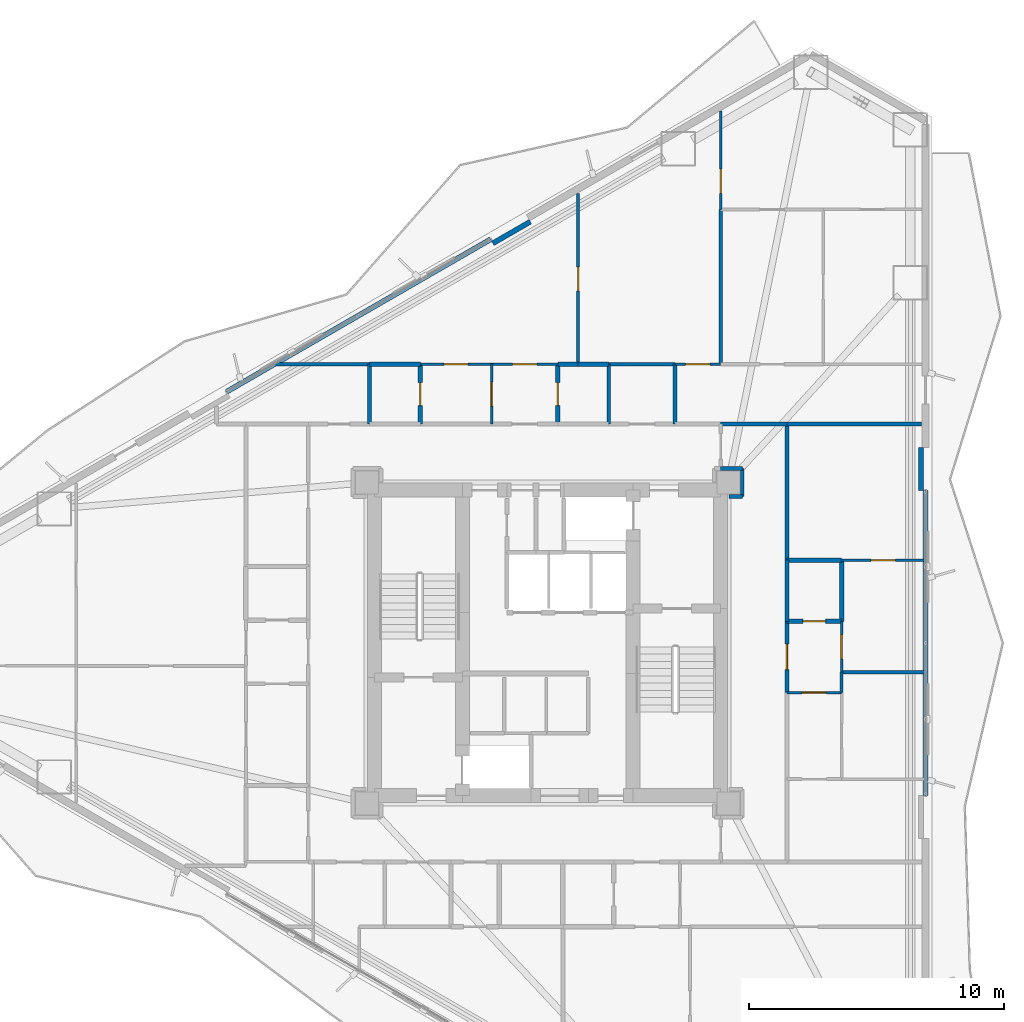
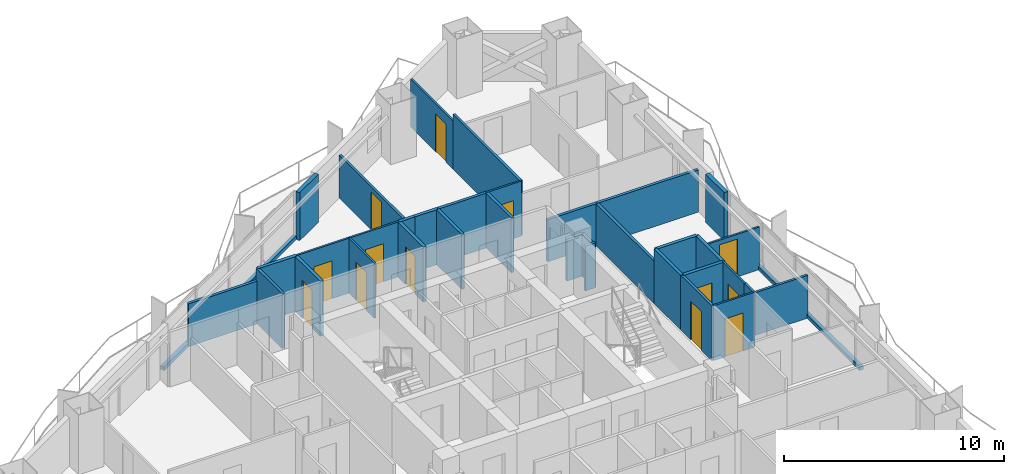
# One storey, part 16 of 19: 37 walls, 13 doors, 13 openings.
"""IFC4 building model written with IfcOpenShell, lengths in metres."""

from ifc_helpers import new_model, si_unit, direction, frame, frame_2d, origin, place, context, subcontext, project, spatial, rectangle, extrude, material, layer, layer_set, type_object, element, fill, save


model = new_model("IFC4")

# Units and contexts
model_context = context("Model", 3, precision=1e-05, world=origin(), true_north=direction((0.0, 1.0)))
body_context = subcontext(model_context, "Body", "Model", "MODEL_VIEW")
ifc_project = project(units=[si_unit("LENGTHUNIT", "METRE"), si_unit("AREAUNIT", "SQUARE_METRE"), si_unit("VOLUMEUNIT", "CUBIC_METRE"), si_unit("PLANEANGLEUNIT", "RADIAN"), si_unit("MASSUNIT", "GRAM", prefix="KILO")], contexts=[model_context])

# Site, building, storey
site_placement = place(None, origin())
site = spatial("IfcSite", under=ifc_project, at=site_placement, CompositionType="ELEMENT")
building_placement = place(site_placement, origin())
building = spatial("IfcBuilding", under=site, at=building_placement, Name="Mersakhor Tower and Convention Hall", CompositionType="ELEMENT")
storey_placement = place(building_placement, frame((0.0, 0.0, 22.5)))
storey = spatial("IfcBuildingStorey", under=building, at=storey_placement, Name="L05", CompositionType="ELEMENT", Elevation=22.5)

# Walls
ifc_material_1 = material(Name="Precast concrete C40/50", Category="concrete")
ifc_layer_1 = layer(ifc_material_1, 0.199951171875)
ifc_layer_set_1 = layer_set([ifc_layer_1], Name="Precast concrete C40/50")
wall_type_1 = type_object("IfcWallType", Name="WL-PAR-200", PredefinedType="PARAPET", material=ifc_layer_set_1)
wall_1_placement = place(storey_placement, frame((16.390380859375, 36.6171875, 0.0), z_axis=(0.0, 0.0, 1.0), x_axis=(0.866027351828, 0.499996625875, 0.0)))
element("IfcWall", 1, at=wall_1_placement, inside=storey, type_object=wall_type_1, Name="L05 Curtain Wall Upstand Sill F1-B2", PredefinedType="PARAPET", context=body_context, shape_type="SweptSolid", body=[
    extrude(rectangle(XDim=11.97314453125, YDim=0.199951171875, at=frame_2d((5.986572265625, 0.0))), origin(), (0.0, 0.0, 1.0), 0.199951171875),
])
wall_2_placement = place(storey_placement, frame((26.849609375, 42.447998046875, 0.0), z_axis=(0.0, 0.0, 1.0), x_axis=(0.86605165483, 0.499954529098, 0.0)))
element("IfcWall", 2, at=wall_2_placement, inside=storey, type_object=wall_type_1, Name="L05 Column Pier Cladding Wall F1-C2", PredefinedType="PARAPET", context=body_context, shape_type="SweptSolid", body=[
    extrude(rectangle(XDim=1.699951171875, YDim=0.199951171875, at=frame_2d((0.85009765625, 0.0))), origin(), (0.0, 0.0, 1.0), 2.659912109375),
])
wall_3_placement = place(storey_placement, frame((43.85009765625, 32.736572265625, 0.0), z_axis=(0.0, 0.0, 1.0), x_axis=(0.0, -1.0, 0.0)))
element("IfcWall", 3, at=wall_3_placement, inside=storey, type_object=wall_type_1, Name="L05 Curtain Wall Upstand Sill F2-B2", PredefinedType="PARAPET", context=body_context, shape_type="SweptSolid", body=[
    extrude(rectangle(XDim=11.97314453125, YDim=0.199951171875, at=frame_2d((5.986572265625, 0.0))), origin(), (0.0, 0.0, 1.0), 0.199951171875),
])
wall_4_placement = place(storey_placement, frame((43.669921875, 34.4365234375, 0.0), z_axis=(0.0, 0.0, 1.0), x_axis=(0.0, -1.0, 0.0)))
element("IfcWall", 4, at=wall_4_placement, inside=storey, type_object=wall_type_1, Name="L05 Column Pier Cladding Wall F2-C1", PredefinedType="PARAPET", context=body_context, shape_type="SweptSolid", body=[
    extrude(rectangle(XDim=1.699951171875, YDim=0.199951171875, at=frame_2d((0.85009765625, 0.0))), origin(), (0.0, 0.0, 1.0), 2.659912109375),
])

# Wall, opening, door
ifc_material_2 = material(Name="Moisture-resistant acoustic drywall studwork", Category="other")
ifc_layer_2 = layer(ifc_material_2, 0.175048828125)
ifc_layer_set_2 = layer_set([ifc_layer_2], Name="Moisture-resistant acoustic drywall studwork")
wall_type_2 = type_object("IfcWallType", Name="WL-PLM-175", PredefinedType="PLUMBINGWALL", material=ifc_layer_set_2)
wall_5_placement = place(storey_placement, frame((29.39990234375, 37.699951171875, 0.0), z_axis=(0.0, 0.0, 1.0), x_axis=(0.0, -1.0, 0.0)))
wall_5 = element("IfcWall", 5, at=wall_5_placement, inside=storey, type_object=wall_type_2, Name="L05 Interior Partition Wall P-067", PredefinedType="PLUMBINGWALL", context=body_context, shape_type="SweptSolid", body=[
    extrude(rectangle(XDim=2.349853515625, YDim=0.175048828125, at=frame_2d((1.1748046875, 0.0))), origin(), (0.0, 0.0, 1.0), 3.0400390625),
])
opening_1_placement = place(wall_5_placement, frame((0.72509765625, 0.0, 0.0)))
opening_1 = element("IfcOpeningElement", 6, at=opening_1_placement, cuts=wall_5, Name="Opening WD-01", PredefinedType="OPENING", context=body_context, shape_type="SweptSolid", body=[
    extrude(rectangle(XDim=0.89990234375, YDim=2.10009765625, at=frame_2d((0.449951171875, 1.050048828125))), frame((0.0, 0.097412109375, 0.0), z_axis=(0.0, -1.0, 0.0), x_axis=(1.0, 0.0, 0.0)), (0.0, 0.0, 1.0), 0.195068359375),
])
ifc_material_3 = material(Name="Solid-core hardwood leaf in painted steel frame", Category="steel")
door_type_1 = type_object("IfcDoorType", Name="DR-INT-WET-090x210", OperationType="NOTDEFINED", PredefinedType="DOOR", material=ifc_material_3)
door_1_placement = place(opening_1_placement, origin())
door_1 = element("IfcDoor", 7, at=door_1_placement, inside=storey, type_object=door_type_1, Name="L05 L05 Flat N1 Apartment Hall to L05 Flat N1 En-Suite Shower Room Door", OperationType="SINGLE_SWING_LEFT", OverallHeight=2.10009765625, OverallWidth=0.89990234375, PredefinedType="DOOR", context=body_context, shape_type="SweptSolid", body=[
    extrude(rectangle(XDim=0.89990234375, YDim=2.10009765625, at=frame_2d((0.449951171875, 1.050048828125))), frame((0.0, 0.02490234375, 0.0), z_axis=(0.0, -1.0, 0.0), x_axis=(1.0, 0.0, 0.0)), (0.0, 0.0, 1.0), 0.050048828125),
])
fill(opening_1, door_1)

wall_6_placement = place(storey_placement, frame((38.39990234375, 27.60009765625, 0.0), z_axis=(0.0, 0.0, 1.0), x_axis=(1.0, 0.0, 0.0)))
wall_6 = element("IfcWall", 8, at=wall_6_placement, inside=storey, type_object=wall_type_2, Name="L05 Interior Partition Wall P-079", PredefinedType="PLUMBINGWALL", context=body_context, shape_type="SweptSolid", body=[
    extrude(rectangle(XDim=2.150146484375, YDim=0.175048828125, at=frame_2d((1.0751953125, 0.0))), origin(), (0.0, 0.0, 1.0), 3.0400390625),
])
opening_2_placement = place(wall_6_placement, frame((0.625, 0.0, 0.0)))
opening_2 = element("IfcOpeningElement", 9, at=opening_2_placement, cuts=wall_6, Name="Opening WD-01", PredefinedType="OPENING", context=body_context, shape_type="SweptSolid", body=[
    extrude(rectangle(XDim=0.89990234375, YDim=2.10009765625, at=frame_2d((0.449951171875, 1.050048828125))), frame((0.0, 0.097412109375, 0.0), z_axis=(0.0, -1.0, 0.0), x_axis=(1.0, 0.0, 0.0)), (0.0, 0.0, 1.0), 0.195068359375),
])
door_2_placement = place(opening_2_placement, origin())
door_2 = element("IfcDoor", 10, at=door_2_placement, inside=storey, type_object=door_type_1, Name="L05 L05 Flat E5 Apartment Hall to L05 Flat E5 Bathroom Door", OperationType="SINGLE_SWING_LEFT", OverallHeight=2.10009765625, OverallWidth=0.89990234375, PredefinedType="DOOR", context=body_context, shape_type="SweptSolid", body=[
    extrude(rectangle(XDim=0.89990234375, YDim=2.10009765625, at=frame_2d((0.449951171875, 1.050048828125))), frame((0.0, 0.02490234375, 0.0), z_axis=(0.0, -1.0, 0.0), x_axis=(1.0, 0.0, 0.0)), (0.0, 0.0, 1.0), 0.050048828125),
])
fill(opening_2, door_2)

wall_7_placement = place(storey_placement, frame((24.0, 35.35009765625, 0.0), z_axis=(0.0, 0.0, 1.0), x_axis=(0.0, 1.0, 0.0)))
wall_7 = element("IfcWall", 11, at=wall_7_placement, inside=storey, type_object=wall_type_2, Name="L05 Interior Partition Wall P-081", PredefinedType="PLUMBINGWALL", context=body_context, shape_type="SweptSolid", body=[
    extrude(rectangle(XDim=2.349853515625, YDim=0.175048828125, at=frame_2d((1.1748046875, 0.0))), origin(), (0.0, 0.0, 1.0), 3.0400390625),
])
opening_3_placement = place(wall_7_placement, frame((0.72509765625, 0.0, 0.0)))
opening_3 = element("IfcOpeningElement", 12, at=opening_3_placement, cuts=wall_7, Name="Opening WD-01", PredefinedType="OPENING", context=body_context, shape_type="SweptSolid", body=[
    extrude(rectangle(XDim=0.89990234375, YDim=2.10009765625, at=frame_2d((0.449951171875, 1.050048828125))), frame((0.0, 0.097412109375, 0.0), z_axis=(0.0, -1.0, 0.0), x_axis=(1.0, 0.0, 0.0)), (0.0, 0.0, 1.0), 0.195068359375),
])
door_3_placement = place(opening_3_placement, origin())
door_3 = element("IfcDoor", 13, at=door_3_placement, inside=storey, type_object=door_type_1, Name="L05 L05 Flat N1 Kitchen to L05 Flat N1 Bathroom Door", OperationType="SINGLE_SWING_LEFT", OverallHeight=2.10009765625, OverallWidth=0.89990234375, PredefinedType="DOOR", context=body_context, shape_type="SweptSolid", body=[
    extrude(rectangle(XDim=0.89990234375, YDim=2.10009765625, at=frame_2d((0.449951171875, 1.050048828125))), frame((0.0, 0.02490234375, 0.0), z_axis=(0.0, -1.0, 0.0), x_axis=(1.0, 0.0, 0.0)), (0.0, 0.0, 1.0), 0.050048828125),
])
fill(opening_3, door_3)

# Walls
wall_8_placement = place(storey_placement, frame((22.0, 37.699951171875, 0.0), z_axis=(0.0, 0.0, 1.0), x_axis=(1.0, 0.0, 0.0)))
element("IfcWall", 14, at=wall_8_placement, inside=storey, type_object=wall_type_2, Name="L05 Interior Partition Wall P-082", PredefinedType="PLUMBINGWALL", context=body_context, shape_type="SweptSolid", body=[
    extrude(rectangle(XDim=2.0, YDim=0.175048828125, at=frame_2d((1.0, 0.0))), origin(), (0.0, 0.0, 1.0), 3.0400390625),
])
wall_9_placement = place(storey_placement, frame((29.39990234375, 37.699951171875, 0.0), z_axis=(0.0, 0.0, 1.0), x_axis=(1.0, 0.0, 0.0)))
element("IfcWall", 15, at=wall_9_placement, inside=storey, type_object=wall_type_2, Name="L05 Interior Partition Wall P-084", PredefinedType="PLUMBINGWALL", context=body_context, shape_type="SweptSolid", body=[
    extrude(rectangle(XDim=0.800048828125, YDim=0.175048828125, at=frame_2d((0.39990234375, 0.0))), origin(), (0.0, 0.0, 1.0), 3.0400390625),
])
wall_10_placement = place(storey_placement, frame((30.199951171875, 37.699951171875, 0.0), z_axis=(0.0, 0.0, 1.0), x_axis=(1.0, 0.0, 0.0)))
element("IfcWall", 16, at=wall_10_placement, inside=storey, type_object=wall_type_2, Name="L05 Interior Partition Wall P-085", PredefinedType="PLUMBINGWALL", context=body_context, shape_type="SweptSolid", body=[
    extrude(rectangle(XDim=1.199951171875, YDim=0.175048828125, at=frame_2d((0.60009765625, 0.0))), origin(), (0.0, 0.0, 1.0), 3.0400390625),
])
wall_11_placement = place(storey_placement, frame((40.550048828125, 30.0, 0.0), z_axis=(0.0, 0.0, 1.0), x_axis=(0.0, -1.0, 0.0)))
element("IfcWall", 17, at=wall_11_placement, inside=storey, type_object=wall_type_2, Name="L05 Interior Partition Wall P-099", PredefinedType="PLUMBINGWALL", context=body_context, shape_type="SweptSolid", body=[
    extrude(rectangle(XDim=2.39990234375, YDim=0.175048828125, at=frame_2d((1.199951171875, 0.0))), origin(), (0.0, 0.0, 1.0), 3.0400390625),
])
wall_12_placement = place(storey_placement, frame((38.39990234375, 30.0, 0.0), z_axis=(0.0, 0.0, 1.0), x_axis=(1.0, 0.0, 0.0)))
element("IfcWall", 18, at=wall_12_placement, inside=storey, type_object=wall_type_2, Name="L05 Interior Partition Wall P-100", PredefinedType="PLUMBINGWALL", context=body_context, shape_type="SweptSolid", body=[
    extrude(rectangle(XDim=2.150146484375, YDim=0.175048828125, at=frame_2d((1.0751953125, 0.0))), origin(), (0.0, 0.0, 1.0), 3.0400390625),
])

# Wall, opening, door
ifc_material_4 = material(Name="Lightweight gypsum partition", Category="other")
ifc_layer_3 = layer(ifc_material_4, 0.10009765625)
ifc_layer_set_3 = layer_set([ifc_layer_3], Name="Lightweight gypsum partition")
wall_type_3 = type_object("IfcWallType", Name="WL-PRT-100", PredefinedType="PARTITIONING", material=ifc_layer_set_3)
wall_13_placement = place(storey_placement, frame((26.800048828125, 37.699951171875, 0.0), z_axis=(0.0, 0.0, 1.0), x_axis=(1.0, 0.0, 0.0)))
wall_13 = element("IfcWall", 19, at=wall_13_placement, inside=storey, type_object=wall_type_3, Name="L05 Interior Partition Wall P-066", PredefinedType="PARTITIONING", context=body_context, shape_type="SweptSolid", body=[
    extrude(rectangle(XDim=2.599853515625, YDim=0.10009765625, at=frame_2d((1.2998046875, 0.0))), origin(), (0.0, 0.0, 1.0), 3.0400390625),
])
opening_4_placement = place(wall_13_placement, frame((0.824951171875, 0.0, 0.0)))
opening_4 = element("IfcOpeningElement", 20, at=opening_4_placement, cuts=wall_13, Name="Opening RD-01", PredefinedType="OPENING", context=body_context, shape_type="SweptSolid", body=[
    extrude(rectangle(XDim=0.949951171875, YDim=2.10009765625, at=frame_2d((0.47509765625, 1.050048828125))), frame((0.0, 0.06005859375, 0.0), z_axis=(0.0, -1.0, 0.0), x_axis=(1.0, 0.0, 0.0)), (0.0, 0.0, 1.0), 0.1201171875),
])
ifc_material_5 = material(Name="Solid-core hardwood leaf in painted steel frame", Category="steel")
door_type_2 = type_object("IfcDoorType", Name="DR-INT-RM-095x210", OperationType="NOTDEFINED", PredefinedType="DOOR", material=ifc_material_5)
door_4_placement = place(opening_4_placement, origin())
door_4 = element("IfcDoor", 21, at=door_4_placement, inside=storey, type_object=door_type_2, Name="L05 L05 Flat N1 Apartment Hall to L05 Flat N1 Living and Dining Room Door", OperationType="SINGLE_SWING_RIGHT", OverallHeight=2.10009765625, OverallWidth=0.949951171875, PredefinedType="DOOR", context=body_context, shape_type="SweptSolid", body=[
    extrude(rectangle(XDim=0.949951171875, YDim=2.10009765625, at=frame_2d((0.47509765625, 1.050048828125))), frame((0.0, 0.02490234375, 0.0), z_axis=(0.0, -1.0, 0.0), x_axis=(1.0, 0.0, 0.0)), (0.0, 0.0, 1.0), 0.050048828125),
])
fill(opening_4, door_4)

wall_14_placement = place(storey_placement, frame((26.800048828125, 35.35009765625, 0.0), z_axis=(0.0, 0.0, 1.0), x_axis=(0.0, 1.0, 0.0)))
wall_14 = element("IfcWall", 22, at=wall_14_placement, inside=storey, type_object=wall_type_3, Name="L05 Interior Partition Wall P-068", PredefinedType="PARTITIONING", context=body_context, shape_type="SweptSolid", body=[
    extrude(rectangle(XDim=2.349853515625, YDim=0.10009765625, at=frame_2d((1.1748046875, 0.0))), origin(), (0.0, 0.0, 1.0), 3.0400390625),
])
opening_5_placement = place(wall_14_placement, frame((0.699951171875, 0.0, 0.0)))
opening_5 = element("IfcOpeningElement", 23, at=opening_5_placement, cuts=wall_14, Name="Opening RD-01", PredefinedType="OPENING", context=body_context, shape_type="SweptSolid", body=[
    extrude(rectangle(XDim=0.949951171875, YDim=2.10009765625, at=frame_2d((0.47509765625, 1.050048828125))), frame((0.0, 0.06005859375, 0.0), z_axis=(0.0, -1.0, 0.0), x_axis=(1.0, 0.0, 0.0)), (0.0, 0.0, 1.0), 0.1201171875),
])
door_5_placement = place(opening_5_placement, origin())
door_5 = element("IfcDoor", 24, at=door_5_placement, inside=storey, type_object=door_type_2, Name="L05 L05 Flat N1 Apartment Hall to L05 Flat N1 Kitchen Door", OperationType="SINGLE_SWING_RIGHT", OverallHeight=2.10009765625, OverallWidth=0.949951171875, PredefinedType="DOOR", context=body_context, shape_type="SweptSolid", body=[
    extrude(rectangle(XDim=0.949951171875, YDim=2.10009765625, at=frame_2d((0.47509765625, 1.050048828125))), frame((0.0, 0.02490234375, 0.0), z_axis=(0.0, -1.0, 0.0), x_axis=(1.0, 0.0, 0.0)), (0.0, 0.0, 1.0), 0.050048828125),
])
fill(opening_5, door_5)

wall_15_placement = place(storey_placement, frame((40.550048828125, 27.60009765625, 0.0), z_axis=(0.0, 0.0, 1.0), x_axis=(0.0, -1.0, 0.0)))
wall_15 = element("IfcWall", 25, at=wall_15_placement, inside=storey, type_object=wall_type_3, Name="L05 Interior Partition Wall P-076", PredefinedType="PARTITIONING", context=body_context, shape_type="SweptSolid", body=[
    extrude(rectangle(XDim=2.0, YDim=0.10009765625, at=frame_2d((1.0, 0.0))), origin(), (0.0, 0.0, 1.0), 3.0400390625),
])
opening_6_placement = place(wall_15_placement, frame((0.52490234375, 0.0, 0.0)))
opening_6 = element("IfcOpeningElement", 26, at=opening_6_placement, cuts=wall_15, Name="Opening RD-01", PredefinedType="OPENING", context=body_context, shape_type="SweptSolid", body=[
    extrude(rectangle(XDim=0.949951171875, YDim=2.10009765625, at=frame_2d((0.47509765625, 1.050048828125))), frame((0.0, 0.06005859375, 0.0), z_axis=(0.0, -1.0, 0.0), x_axis=(1.0, 0.0, 0.0)), (0.0, 0.0, 1.0), 0.1201171875),
])
door_6_placement = place(opening_6_placement, origin())
door_6 = element("IfcDoor", 27, at=door_6_placement, inside=storey, type_object=door_type_2, Name="L05 L05 Flat E5 Apartment Hall to L05 Flat E5 Master Bedroom Door", OperationType="SINGLE_SWING_RIGHT", OverallHeight=2.10009765625, OverallWidth=0.949951171875, PredefinedType="DOOR", context=body_context, shape_type="SweptSolid", body=[
    extrude(rectangle(XDim=0.949951171875, YDim=2.10009765625, at=frame_2d((0.47509765625, 1.050048828125))), frame((0.0, 0.02490234375, 0.0), z_axis=(0.0, -1.0, 0.0), x_axis=(1.0, 0.0, 0.0)), (0.0, 0.0, 1.0), 0.050048828125),
])
fill(opening_6, door_6)

wall_16_placement = place(storey_placement, frame((40.550048828125, 24.800048828125, 0.0), z_axis=(0.0, 0.0, 1.0), x_axis=(-1.0, 0.0, 0.0)))
wall_16 = element("IfcWall", 28, at=wall_16_placement, inside=storey, type_object=wall_type_3, Name="L05 Interior Partition Wall P-078", PredefinedType="PARTITIONING", context=body_context, shape_type="SweptSolid", body=[
    extrude(rectangle(XDim=2.150146484375, YDim=0.10009765625, at=frame_2d((1.0751953125, 0.0))), origin(), (0.0, 0.0, 1.0), 3.0400390625),
])
opening_7_placement = place(wall_16_placement, frame((0.60009765625, 0.0, 0.0)))
opening_7 = element("IfcOpeningElement", 29, at=opening_7_placement, cuts=wall_16, Name="Opening RD-01", PredefinedType="OPENING", context=body_context, shape_type="SweptSolid", body=[
    extrude(rectangle(XDim=0.949951171875, YDim=2.10009765625, at=frame_2d((0.47509765625, 1.050048828125))), frame((0.0, 0.06005859375, 0.0), z_axis=(0.0, -1.0, 0.0), x_axis=(1.0, 0.0, 0.0)), (0.0, 0.0, 1.0), 0.1201171875),
])
door_7_placement = place(opening_7_placement, origin())
door_7 = element("IfcDoor", 30, at=door_7_placement, inside=storey, type_object=door_type_2, Name="L05 L05 Flat E5 Apartment Hall to L05 Flat E5 Dining Alcove Door", OperationType="SINGLE_SWING_LEFT", OverallHeight=2.10009765625, OverallWidth=0.949951171875, PredefinedType="DOOR", context=body_context, shape_type="SweptSolid", body=[
    extrude(rectangle(XDim=0.949951171875, YDim=2.10009765625, at=frame_2d((0.47509765625, 1.050048828125))), frame((0.0, 0.02490234375, 0.0), z_axis=(0.0, -1.0, 0.0), x_axis=(1.0, 0.0, 0.0)), (0.0, 0.0, 1.0), 0.050048828125),
])
fill(opening_7, door_7)

wall_17_placement = place(storey_placement, frame((24.0, 37.699951171875, 0.0), z_axis=(0.0, 0.0, 1.0), x_axis=(1.0, 0.0, 0.0)))
wall_17 = element("IfcWall", 31, at=wall_17_placement, inside=storey, type_object=wall_type_3, Name="L05 Interior Partition Wall P-080", PredefinedType="PARTITIONING", context=body_context, shape_type="SweptSolid", body=[
    extrude(rectangle(XDim=2.800048828125, YDim=0.10009765625, at=frame_2d((1.39990234375, 0.0))), origin(), (0.0, 0.0, 1.0), 3.0400390625),
])
opening_8_placement = place(wall_17_placement, frame((0.925048828125, 0.0, 0.0)))
opening_8 = element("IfcOpeningElement", 32, at=opening_8_placement, cuts=wall_17, Name="Opening RD-01", PredefinedType="OPENING", context=body_context, shape_type="SweptSolid", body=[
    extrude(rectangle(XDim=0.949951171875, YDim=2.10009765625, at=frame_2d((0.47509765625, 1.050048828125))), frame((0.0, 0.06005859375, 0.0), z_axis=(0.0, -1.0, 0.0), x_axis=(1.0, 0.0, 0.0)), (0.0, 0.0, 1.0), 0.1201171875),
])
door_8_placement = place(opening_8_placement, origin())
door_8 = element("IfcDoor", 33, at=door_8_placement, inside=storey, type_object=door_type_2, Name="L05 L05 Flat N1 Kitchen to L05 Flat N1 Living and Dining Room Door", OperationType="SINGLE_SWING_RIGHT", OverallHeight=2.10009765625, OverallWidth=0.949951171875, PredefinedType="DOOR", context=body_context, shape_type="SweptSolid", body=[
    extrude(rectangle(XDim=0.949951171875, YDim=2.10009765625, at=frame_2d((0.47509765625, 1.050048828125))), frame((0.0, 0.02490234375, 0.0), z_axis=(0.0, -1.0, 0.0), x_axis=(1.0, 0.0, 0.0)), (0.0, 0.0, 1.0), 0.050048828125),
])
fill(opening_8, door_8)

wall_18_placement = place(storey_placement, frame((34.0, 37.699951171875, 0.0), z_axis=(0.0, 0.0, 1.0), x_axis=(1.0, 0.0, 0.0)))
wall_18 = element("IfcWall", 34, at=wall_18_placement, inside=storey, type_object=wall_type_3, Name="L05 Interior Partition Wall P-114", PredefinedType="PARTITIONING", context=body_context, shape_type="SweptSolid", body=[
    extrude(rectangle(XDim=1.800048828125, YDim=0.10009765625, at=frame_2d((0.89990234375, 0.0))), origin(), (0.0, 0.0, 1.0), 3.0400390625),
])
opening_9_placement = place(wall_18_placement, frame((0.425048828125, 0.0, 0.0)))
opening_9 = element("IfcOpeningElement", 35, at=opening_9_placement, cuts=wall_18, Name="Opening RD-01", PredefinedType="OPENING", context=body_context, shape_type="SweptSolid", body=[
    extrude(rectangle(XDim=0.949951171875, YDim=2.10009765625, at=frame_2d((0.47509765625, 1.050048828125))), frame((0.0, 0.06005859375, 0.0), z_axis=(0.0, -1.0, 0.0), x_axis=(1.0, 0.0, 0.0)), (0.0, 0.0, 1.0), 0.1201171875),
])
door_9_placement = place(opening_9_placement, origin())
door_9 = element("IfcDoor", 36, at=door_9_placement, inside=storey, type_object=door_type_2, Name="L05 L05 Flat N1 Study Room to L05 Flat N1 Master Bedroom Door", OperationType="SINGLE_SWING_RIGHT", OverallHeight=2.10009765625, OverallWidth=0.949951171875, PredefinedType="DOOR", context=body_context, shape_type="SweptSolid", body=[
    extrude(rectangle(XDim=0.949951171875, YDim=2.10009765625, at=frame_2d((0.47509765625, 1.050048828125))), frame((0.0, 0.02490234375, 0.0), z_axis=(0.0, -1.0, 0.0), x_axis=(1.0, 0.0, 0.0)), (0.0, 0.0, 1.0), 0.050048828125),
])
fill(opening_9, door_9)

wall_19_placement = place(storey_placement, frame((35.800048828125, 47.63671875, 0.0), z_axis=(0.0, 0.0, 1.0), x_axis=(0.0, -1.0, 0.0)))
wall_19 = element("IfcWall", 37, at=wall_19_placement, inside=storey, type_object=wall_type_3, Name="L05 Interior Partition Wall P-118", PredefinedType="PARTITIONING", context=body_context, shape_type="SweptSolid", body=[
    extrude(rectangle(XDim=3.856689453125, YDim=0.10009765625, at=frame_2d((1.92822265625, 0.0))), origin(), (0.0, 0.0, 1.0), 2.650390625),
])
opening_10_placement = place(wall_19_placement, frame((2.27734375, 0.0, 0.0)))
opening_10 = element("IfcOpeningElement", 38, at=opening_10_placement, cuts=wall_19, Name="Opening RD-01", PredefinedType="OPENING", context=body_context, shape_type="SweptSolid", body=[
    extrude(rectangle(XDim=0.949951171875, YDim=2.10009765625, at=frame_2d((0.47509765625, 1.050048828125))), frame((0.0, 0.06005859375, 0.0), z_axis=(0.0, -1.0, 0.0), x_axis=(1.0, 0.0, 0.0)), (0.0, 0.0, 1.0), 0.1201171875),
])
door_10_placement = place(opening_10_placement, origin())
door_10 = element("IfcDoor", 39, at=door_10_placement, inside=storey, type_object=door_type_2, Name="L05 L05 Flat N1 Master Bedroom to L05 Flat N1 Dining Room Door", OperationType="SINGLE_SWING_LEFT", OverallHeight=2.10009765625, OverallWidth=0.949951171875, PredefinedType="DOOR", context=body_context, shape_type="SweptSolid", body=[
    extrude(rectangle(XDim=0.949951171875, YDim=2.10009765625, at=frame_2d((0.47509765625, 1.050048828125))), frame((0.0, 0.02490234375, 0.0), z_axis=(0.0, -1.0, 0.0), x_axis=(1.0, 0.0, 0.0)), (0.0, 0.0, 1.0), 0.050048828125),
])
fill(opening_10, door_10)

wall_20_placement = place(storey_placement, frame((43.81396484375, 30.0, 0.0), z_axis=(0.0, 0.0, 1.0), x_axis=(-1.0, 0.0, 0.0)))
wall_20 = element("IfcWall", 40, at=wall_20_placement, inside=storey, type_object=wall_type_3, Name="L05 Interior Partition Wall P-144", PredefinedType="PARTITIONING", context=body_context, shape_type="SweptSolid", body=[
    extrude(rectangle(XDim=3.263916015625, YDim=0.10009765625, at=frame_2d((1.6318359375, 0.0))), origin(), (0.0, 0.0, 1.0), 2.364990234375),
])
opening_11_placement = place(wall_20_placement, frame((1.156982421875, 0.0, 0.0)))
opening_11 = element("IfcOpeningElement", 41, at=opening_11_placement, cuts=wall_20, Name="Opening RD-01", PredefinedType="OPENING", context=body_context, shape_type="SweptSolid", body=[
    extrude(rectangle(XDim=0.949951171875, YDim=2.10009765625, at=frame_2d((0.47509765625, 1.050048828125))), frame((0.0, 0.06005859375, 0.0), z_axis=(0.0, -1.0, 0.0), x_axis=(1.0, 0.0, 0.0)), (0.0, 0.0, 1.0), 0.1201171875),
])
door_11_placement = place(opening_11_placement, origin())
door_11 = element("IfcDoor", 42, at=door_11_placement, inside=storey, type_object=door_type_2, Name="L05 L05 Flat E5 Living and Dining Room to L05 Flat E5 Master Bedroom Door", OperationType="SINGLE_SWING_RIGHT", OverallHeight=2.10009765625, OverallWidth=0.949951171875, PredefinedType="DOOR", context=body_context, shape_type="SweptSolid", body=[
    extrude(rectangle(XDim=0.949951171875, YDim=2.10009765625, at=frame_2d((0.47509765625, 1.050048828125))), frame((0.0, 0.02490234375, 0.0), z_axis=(0.0, -1.0, 0.0), x_axis=(1.0, 0.0, 0.0)), (0.0, 0.0, 1.0), 0.050048828125),
])
fill(opening_11, door_11)

# Wall
ifc_material_6 = material(Name="Gypsum board acoustic partition", Category="other")
ifc_layer_4 = layer(ifc_material_6, 0.125)
ifc_layer_set_4 = layer_set([ifc_layer_4], Name="Gypsum board acoustic partition")
wall_type_4 = type_object("IfcWallType", Name="WL-PRT-125", PredefinedType="PARTITIONING", material=ifc_layer_set_4)
wall_21_placement = place(storey_placement, frame((40.550048828125, 25.60009765625, 0.0), z_axis=(0.0, 0.0, 1.0), x_axis=(0.0, -1.0, 0.0)))
element("IfcWall", 43, at=wall_21_placement, inside=storey, type_object=wall_type_4, Name="L05 Interior Partition Wall P-077", PredefinedType="PARTITIONING", context=body_context, shape_type="SweptSolid", body=[
    extrude(rectangle(XDim=0.800048828125, YDim=0.125, at=frame_2d((0.39990234375, 0.0))), origin(), (0.0, 0.0, 1.0), 3.0400390625),
])

# Wall, opening, door
wall_22_placement = place(storey_placement, frame((30.199951171875, 44.40380859375, 0.0), z_axis=(0.0, 0.0, 1.0), x_axis=(0.0, -1.0, 0.0)))
wall_22 = element("IfcWall", 44, at=wall_22_placement, inside=storey, type_object=wall_type_4, Name="L05 Interior Partition Wall P-117", PredefinedType="PARTITIONING", context=body_context, shape_type="SweptSolid", body=[
    extrude(rectangle(XDim=6.703857421875, YDim=0.125, at=frame_2d((3.35205078125, 0.0))), origin(), (0.0, 0.0, 1.0), 2.364990234375),
])
opening_12_placement = place(wall_22_placement, frame((2.876708984375, 0.0, 0.0)))
opening_12 = element("IfcOpeningElement", 45, at=opening_12_placement, cuts=wall_22, Name="Opening RD-01", PredefinedType="OPENING", context=body_context, shape_type="SweptSolid", body=[
    extrude(rectangle(XDim=0.949951171875, YDim=2.10009765625, at=frame_2d((0.47509765625, 1.050048828125))), frame((0.0, 0.072509765625, 0.0), z_axis=(0.0, -1.0, 0.0), x_axis=(1.0, 0.0, 0.0)), (0.0, 0.0, 1.0), 0.14501953125),
])
door_12_placement = place(opening_12_placement, origin())
door_12 = element("IfcDoor", 46, at=door_12_placement, inside=storey, type_object=door_type_2, Name="L05 L05 Flat N1 Living and Dining Room to L05 Flat N1 Master Bedroom Door", OperationType="SINGLE_SWING_RIGHT", OverallHeight=2.10009765625, OverallWidth=0.949951171875, PredefinedType="DOOR", context=body_context, shape_type="SweptSolid", body=[
    extrude(rectangle(XDim=0.949951171875, YDim=2.10009765625, at=frame_2d((0.47509765625, 1.050048828125))), frame((0.0, 0.02490234375, 0.0), z_axis=(0.0, -1.0, 0.0), x_axis=(1.0, 0.0, 0.0)), (0.0, 0.0, 1.0), 0.050048828125),
])
fill(opening_12, door_12)

# Walls
wall_23_placement = place(storey_placement, frame((35.800048828125, 43.780029296875, 0.0), z_axis=(0.0, 0.0, 1.0), x_axis=(0.0, -1.0, 0.0)))
element("IfcWall", 47, at=wall_23_placement, inside=storey, type_object=wall_type_4, Name="L05 Interior Partition Wall P-119", PredefinedType="PARTITIONING", context=body_context, shape_type="SweptSolid", body=[
    extrude(rectangle(XDim=6.080078125, YDim=0.125, at=frame_2d((3.0400390625, 0.0))), origin(), (0.0, 0.0, 1.0), 3.0400390625),
])
wall_24_placement = place(storey_placement, frame((43.81396484375, 25.60009765625, 0.0), z_axis=(0.0, 0.0, 1.0), x_axis=(-1.0, 0.0, 0.0)))
element("IfcWall", 48, at=wall_24_placement, inside=storey, type_object=wall_type_4, Name="L05 Interior Partition Wall P-145", PredefinedType="PARTITIONING", context=body_context, shape_type="SweptSolid", body=[
    extrude(rectangle(XDim=3.263916015625, YDim=0.125, at=frame_2d((1.6318359375, 0.0))), origin(), (0.0, 0.0, 1.0), 2.364990234375),
])
ifc_material_7 = material(Name="Fire-rated gypsum board stud partition", Category="other")
ifc_layer_5 = layer(ifc_material_7, 0.14990234375)
ifc_layer_set_5 = layer_set([ifc_layer_5], Name="Fire-rated gypsum board stud partition")
wall_type_5 = type_object("IfcWallType", Name="WL-PRT-150", PredefinedType="PARTITIONING", material=ifc_layer_set_5)
wall_25_placement = place(storey_placement, frame((36.125, 32.5, 0.0), z_axis=(0.0, 0.0, 1.0), x_axis=(1.0, 0.0, 0.0)))
element("IfcWall", 49, at=wall_25_placement, inside=storey, type_object=wall_type_5, Name="L05 Interior Partition Wall P-054", PredefinedType="PARTITIONING", context=body_context, shape_type="SweptSolid", body=[
    extrude(rectangle(XDim=0.52490234375, YDim=0.14990234375, at=frame_2d((0.262451171875, 0.0))), origin(), (0.0, 0.0, 1.0), 2.48828125),
])
wall_26_placement = place(storey_placement, frame((36.64990234375, 32.5, 0.0), z_axis=(0.0, 0.0, 1.0), x_axis=(0.0, 1.0, 0.0)))
element("IfcWall", 50, at=wall_26_placement, inside=storey, type_object=wall_type_5, Name="L05 Interior Partition Wall P-055", PredefinedType="PARTITIONING", context=body_context, shape_type="SweptSolid", body=[
    extrude(rectangle(XDim=1.10009765625, YDim=0.14990234375, at=frame_2d((0.550048828125, 0.0))), origin(), (0.0, 0.0, 1.0), 2.33740234375),
])
wall_27_placement = place(storey_placement, frame((36.64990234375, 33.60009765625, 0.0), z_axis=(0.0, 0.0, 1.0), x_axis=(-1.0, 0.0, 0.0)))
element("IfcWall", 51, at=wall_27_placement, inside=storey, type_object=wall_type_5, Name="L05 Interior Partition Wall P-056", PredefinedType="PARTITIONING", context=body_context, shape_type="SweptSolid", body=[
    extrude(rectangle(XDim=0.849853515625, YDim=0.14990234375, at=frame_2d((0.4248046875, 0.0))), origin(), (0.0, 0.0, 1.0), 2.33740234375),
])
wall_28_placement = place(storey_placement, frame((35.800048828125, 35.35009765625, 0.0), z_axis=(0.0, 0.0, 1.0), x_axis=(1.0, 0.0, 0.0)))
element("IfcWall", 52, at=wall_28_placement, inside=storey, type_object=wall_type_5, Name="L05 Interior Partition Wall P-057", PredefinedType="PARTITIONING", context=body_context, shape_type="SweptSolid", body=[
    extrude(rectangle(XDim=2.599853515625, YDim=0.14990234375, at=frame_2d((1.2998046875, 0.0))), origin(), (0.0, 0.0, 1.0), 2.33740234375),
])
wall_29_placement = place(storey_placement, frame((38.39990234375, 35.35009765625, 0.0), z_axis=(0.0, 0.0, 1.0), x_axis=(0.0, -1.0, 0.0)))
element("IfcWall", 53, at=wall_29_placement, inside=storey, type_object=wall_type_5, Name="L05 Interior Partition Wall P-058", PredefinedType="PARTITIONING", context=body_context, shape_type="SweptSolid", body=[
    extrude(rectangle(XDim=5.35009765625, YDim=0.14990234375, at=frame_2d((2.675048828125, 0.0))), origin(), (0.0, 0.0, 1.0), 2.33740234375),
])
wall_30_placement = place(storey_placement, frame((38.39990234375, 30.0, 0.0), z_axis=(0.0, 0.0, 1.0), x_axis=(0.0, -1.0, 0.0)))
element("IfcWall", 54, at=wall_30_placement, inside=storey, type_object=wall_type_5, Name="L05 Interior Partition Wall P-059", PredefinedType="PARTITIONING", context=body_context, shape_type="SweptSolid", body=[
    extrude(rectangle(XDim=2.39990234375, YDim=0.14990234375, at=frame_2d((1.199951171875, 0.0))), origin(), (0.0, 0.0, 1.0), 3.0400390625),
])

# Wall, opening, door
wall_31_placement = place(storey_placement, frame((38.39990234375, 27.60009765625, 0.0), z_axis=(0.0, 0.0, 1.0), x_axis=(0.0, -1.0, 0.0)))
wall_31 = element("IfcWall", 55, at=wall_31_placement, inside=storey, type_object=wall_type_5, Name="L05 Interior Partition Wall P-060", PredefinedType="PARTITIONING", context=body_context, shape_type="SweptSolid", body=[
    extrude(rectangle(XDim=2.800048828125, YDim=0.14990234375, at=frame_2d((1.39990234375, 0.0))), origin(), (0.0, 0.0, 1.0), 3.0400390625),
])
opening_13_placement = place(wall_31_placement, frame((0.89990234375, 0.0, 0.0)))
opening_13 = element("IfcOpeningElement", 56, at=opening_13_placement, cuts=wall_31, Name="Opening FD-01", PredefinedType="OPENING", context=body_context, shape_type="SweptSolid", body=[
    extrude(rectangle(XDim=1.0, YDim=2.14990234375, at=frame_2d((0.5, 1.074951171875))), frame((0.0, 0.0849609375, 0.0), z_axis=(0.0, -1.0, 0.0), x_axis=(1.0, 0.0, 0.0)), (0.0, 0.0, 1.0), 0.169921875),
])
ifc_material_8 = material(Name="Fire-rated hardwood leaf and painted steel frame", Category="steel")
door_type_3 = type_object("IfcDoorType", Name="DR-INT-FLT-100x215", OperationType="NOTDEFINED", PredefinedType="DOOR", material=ifc_material_8)
door_13_placement = place(opening_13_placement, origin())
door_13 = element("IfcDoor", 57, at=door_13_placement, inside=storey, type_object=door_type_3, Name="L05 Apartment Entrance Door (Residential Ring East Corridor to L05 Flat E5 Apartment Hall)", OperationType="SINGLE_SWING_LEFT", OverallHeight=2.14990234375, OverallWidth=1.0, PredefinedType="DOOR", context=body_context, shape_type="SweptSolid", body=[
    extrude(rectangle(XDim=1.0, YDim=2.14990234375, at=frame_2d((0.5, 1.074951171875))), frame((0.0, 0.02490234375, 0.0), z_axis=(0.0, -1.0, 0.0), x_axis=(1.0, 0.0, 0.0)), (0.0, 0.0, 1.0), 0.050048828125),
])
fill(opening_13, door_13)

# Walls
for number, where, z_axis, x_axis, name in (
    (58, (22.0, 35.35009765625, 0.0), (0.0, 0.0, 1.0), (0.0, 1.0, 0.0), "L05 Interior Partition Wall P-083"),
    (59, (31.39990234375, 37.699951171875, 0.0), (0.0, 0.0, 1.0), (0.0, -1.0, 0.0), "L05 Interior Partition Wall P-086"),
):
    element("IfcWall", number, at=place(storey_placement, frame(where, z_axis=z_axis, x_axis=x_axis)), inside=storey, type_object=wall_type_5, Name=name, PredefinedType="PARTITIONING", context=body_context, shape_type="SweptSolid", body=[
        extrude(rectangle(XDim=2.349853515625, YDim=0.14990234375, at=frame_2d((1.1748046875, 0.0))), origin(), (0.0, 0.0, 1.0), 3.0400390625),
    ])
wall_32_placement = place(storey_placement, frame((31.39990234375, 37.699951171875, 0.0), z_axis=(0.0, 0.0, 1.0), x_axis=(1.0, 0.0, 0.0)))
element("IfcWall", 60, at=wall_32_placement, inside=storey, type_object=wall_type_5, Name="L05 Interior Partition Wall P-104", PredefinedType="PARTITIONING", context=body_context, shape_type="SweptSolid", body=[
    extrude(rectangle(XDim=2.60009765625, YDim=0.14990234375, at=frame_2d((1.300048828125, 0.0))), origin(), (0.0, 0.0, 1.0), 3.0400390625),
])
wall_33_placement = place(storey_placement, frame((34.0, 37.699951171875, 0.0), z_axis=(0.0, 0.0, 1.0), x_axis=(0.0, -1.0, 0.0)))
element("IfcWall", 61, at=wall_33_placement, inside=storey, type_object=wall_type_5, Name="L05 Interior Partition Wall P-105", PredefinedType="PARTITIONING", context=body_context, shape_type="SweptSolid", body=[
    extrude(rectangle(XDim=2.349853515625, YDim=0.14990234375, at=frame_2d((1.1748046875, 0.0))), origin(), (0.0, 0.0, 1.0), 3.0400390625),
])
wall_34_placement = place(storey_placement, frame((18.331298828125, 37.699951171875, 0.0), z_axis=(0.0, 0.0, 1.0), x_axis=(1.0, 0.0, 0.0)))
element("IfcWall", 62, at=wall_34_placement, inside=storey, type_object=wall_type_5, Name="L05 Interior Partition Wall P-109", PredefinedType="PARTITIONING", context=body_context, shape_type="SweptSolid", body=[
    extrude(rectangle(XDim=3.668701171875, YDim=0.14990234375, at=frame_2d((1.83447265625, 0.0))), origin(), (0.0, 0.0, 1.0), 2.364990234375),
])
wall_35_placement = place(storey_placement, frame((43.6884765625, 35.35009765625, 0.0), z_axis=(0.0, 0.0, 1.0), x_axis=(-1.0, 0.0, 0.0)))
element("IfcWall", 63, at=wall_35_placement, inside=storey, type_object=wall_type_5, Name="L05 Interior Partition Wall P-113", PredefinedType="PARTITIONING", context=body_context, shape_type="SweptSolid", body=[
    extrude(rectangle(XDim=5.28857421875, YDim=0.14990234375, at=frame_2d((2.644287109375, 0.0))), origin(), (0.0, 0.0, 1.0), 2.33740234375),
])

save(model, "model.ifc")
